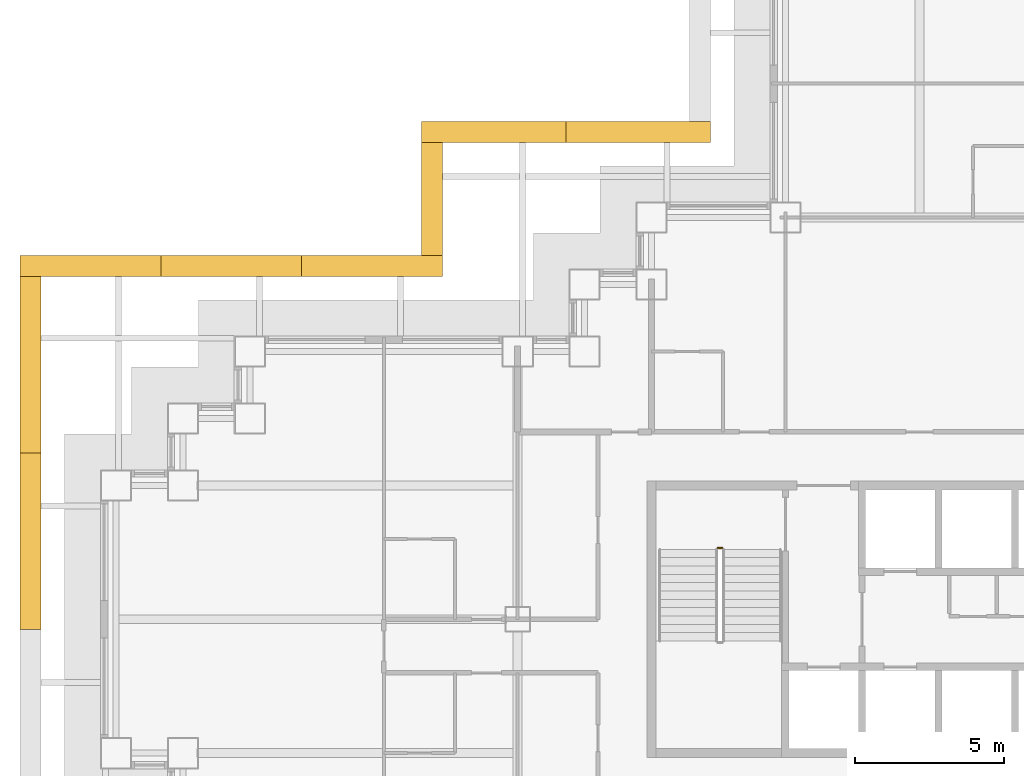
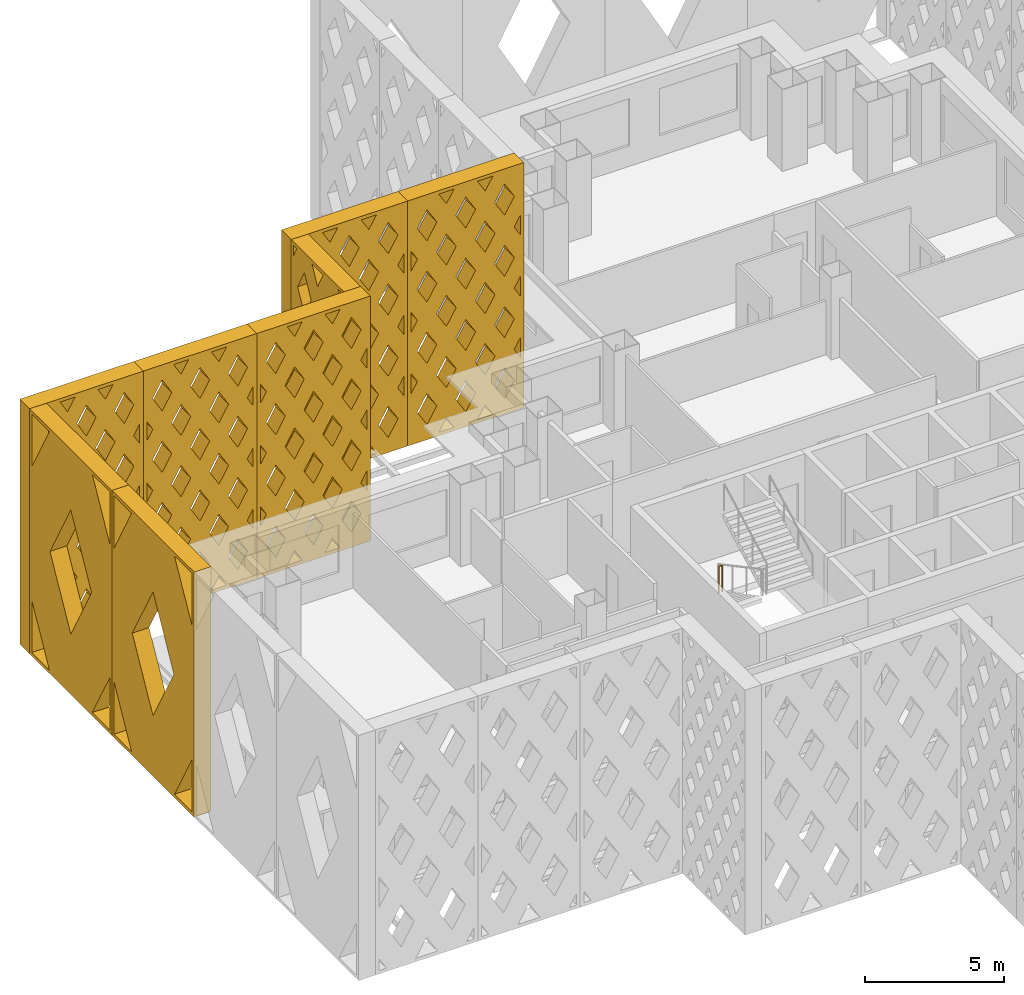
# One storey, part 17 of 19: 8 shading devices, 1 railing.
"""IFC4 building model written with IfcOpenShell, lengths in metres."""

from ifc_helpers import new_model, si_unit, direction, frame, origin, origin_2d, place, context, subcontext, project, spatial, polyline, circle, outline, extrude, material, type_object, element, save


model = new_model("IFC4")

# Units and contexts
model_context = context("Model", 3, precision=1e-05, world=origin(), true_north=direction((0.0, 1.0)))
body_context = subcontext(model_context, "Body", "Model", "MODEL_VIEW")
ifc_project = project(units=[si_unit("LENGTHUNIT", "METRE"), si_unit("AREAUNIT", "SQUARE_METRE"), si_unit("VOLUMEUNIT", "CUBIC_METRE"), si_unit("PLANEANGLEUNIT", "RADIAN"), si_unit("MASSUNIT", "GRAM", prefix="KILO")], contexts=[model_context])

# Site, building, storey
site_placement = place(None, origin())
site = spatial("IfcSite", under=ifc_project, at=site_placement, CompositionType="ELEMENT")
building_placement = place(site_placement, origin())
building = spatial("IfcBuilding", under=site, at=building_placement, Name="Caravel Reach Hotel and Residences", CompositionType="ELEMENT")
storey_placement = place(building_placement, frame((0.0, 0.0, 52.800048828125)))
storey = spatial("IfcBuildingStorey", under=building, at=storey_placement, Name="L11", CompositionType="ELEMENT", Elevation=52.800048828125)

# Shading devices
ifc_material_1 = material(Name="Black powder-coated aluminium", Category="aluminium")
shading_device_type_1 = type_object("IfcShadingDeviceType", Name="Diamond lattice screen panel 3800 x 10800", PredefinedType="USERDEFINED", material=ifc_material_1)
shading_device_1_placement = place(storey_placement, frame((10.97509765625, 43.02490234375, 0.0), z_axis=(-1.0, 0.0, 0.0), x_axis=(0.0, -1.0, 0.0)))
element("IfcShadingDevice", 1, at=shading_device_1_placement, inside=storey, type_object=shading_device_type_1, Name="Lattice screen L11-L13 15.1", ObjectType="SCREEN", PredefinedType="USERDEFINED", context=body_context, shape_type="SweptSolid", body=[
    extrude(outline(polyline([(0.0, 0.0), (3.800048828125, 0.0), (3.800048828125, 10.800048828125), (0.0, 10.800048828125), (0.0, 0.0)]), holes=[polyline([(0.41015625, 0.14990234375), (0.14990234375, 0.64306640625), (0.14990234375, 0.14990234375), (0.41015625, 0.14990234375)]), polyline([(0.489501953125, 3.60009765625), (0.14990234375, 4.2431640625), (0.14990234375, 2.956787109375), (0.489501953125, 3.60009765625)]), polyline([(0.489501953125, 7.199951171875), (0.14990234375, 7.843017578125), (0.14990234375, 6.556884765625), (0.489501953125, 7.199951171875)]), polyline([(0.14990234375, 10.156982421875), (0.41015625, 10.64990234375), (0.14990234375, 10.64990234375), (0.14990234375, 10.156982421875)]), polyline([(0.949951171875, 2.727294921875), (0.460693359375, 1.800048828125), (0.949951171875, 0.872802734375), (1.439453125, 1.800048828125), (0.949951171875, 2.727294921875)]), polyline([(0.949951171875, 6.327392578125), (0.460693359375, 5.39990234375), (0.949951171875, 4.47265625), (1.439453125, 5.39990234375), (0.949951171875, 6.327392578125)]), polyline([(0.949951171875, 9.92724609375), (0.460693359375, 9.0), (0.949951171875, 8.07275390625), (1.439453125, 9.0), (0.949951171875, 9.92724609375)]), polyline([(1.89990234375, 0.92724609375), (1.48974609375, 0.14990234375), (2.310302734375, 0.14990234375), (1.89990234375, 0.92724609375)]), polyline([(1.89990234375, 4.52734375), (1.41064453125, 3.60009765625), (1.89990234375, 2.672607421875), (2.389404296875, 3.60009765625), (1.89990234375, 4.52734375)]), polyline([(1.89990234375, 8.127197265625), (1.41064453125, 7.199951171875), (1.89990234375, 6.272705078125), (2.389404296875, 7.199951171875), (1.89990234375, 8.127197265625)]), polyline([(1.89990234375, 9.872802734375), (2.310302734375, 10.64990234375), (1.48974609375, 10.64990234375), (1.89990234375, 9.872802734375)]), polyline([(2.85009765625, 2.727294921875), (2.360595703125, 1.800048828125), (2.85009765625, 0.872802734375), (3.33935546875, 1.800048828125), (2.85009765625, 2.727294921875)]), polyline([(2.85009765625, 6.327392578125), (2.360595703125, 5.39990234375), (2.85009765625, 4.47265625), (3.33935546875, 5.39990234375), (2.85009765625, 6.327392578125)]), polyline([(2.85009765625, 9.92724609375), (2.360595703125, 9.0), (2.85009765625, 8.07275390625), (3.33935546875, 9.0), (2.85009765625, 9.92724609375)]), polyline([(3.64990234375, 0.64306640625), (3.3896484375, 0.14990234375), (3.64990234375, 0.14990234375), (3.64990234375, 0.64306640625)]), polyline([(3.310546875, 3.60009765625), (3.64990234375, 2.956787109375), (3.64990234375, 4.2431640625), (3.310546875, 3.60009765625)]), polyline([(3.310546875, 7.199951171875), (3.64990234375, 6.556884765625), (3.64990234375, 7.843017578125), (3.310546875, 7.199951171875)]), polyline([(3.3896484375, 10.64990234375), (3.64990234375, 10.156982421875), (3.64990234375, 10.64990234375), (3.3896484375, 10.64990234375)])]), origin(), (0.0, 0.0, 1.0), 0.7001953125),
])
ifc_material_2 = material(Name="Black powder-coated aluminium", Category="aluminium")
shading_device_type_2 = type_object("IfcShadingDeviceType", Name="Diamond lattice screen panel 4733 x 10800", PredefinedType="USERDEFINED", material=ifc_material_2)
shading_device_2_placement = place(storey_placement, frame((10.97509765625, 38.52490234375, 0.0), z_axis=(0.0, 1.0, 0.0), x_axis=(-1.0, 0.0, 0.0)))
element("IfcShadingDevice", 2, at=shading_device_2_placement, inside=storey, type_object=shading_device_type_2, Name="Lattice screen L11-L13 16.1", ObjectType="SCREEN", PredefinedType="USERDEFINED", context=body_context, shape_type="SweptSolid", body=[
    extrude(outline(polyline([(0.0, 0.0), (4.7333984375, 0.0), (4.7333984375, 10.800048828125), (0.0, 10.800048828125), (0.0, 0.0)]), holes=[polyline([(0.4013671875, 2.699951171875), (0.14990234375, 3.130126953125), (0.14990234375, 2.269775390625), (0.4013671875, 2.699951171875)]), polyline([(0.4013671875, 5.39990234375), (0.14990234375, 5.830078125), (0.14990234375, 4.969970703125), (0.4013671875, 5.39990234375)]), polyline([(0.4013671875, 8.10009765625), (0.14990234375, 8.530029296875), (0.14990234375, 7.669921875), (0.4013671875, 8.10009765625)]), polyline([(0.788818359375, 2.036865234375), (0.387451171875, 1.35009765625), (0.788818359375, 0.6630859375), (1.190185546875, 1.35009765625), (0.788818359375, 2.036865234375)]), polyline([(0.788818359375, 4.73681640625), (0.387451171875, 4.050048828125), (0.788818359375, 3.36328125), (1.190185546875, 4.050048828125), (0.788818359375, 4.73681640625)]), polyline([(0.788818359375, 7.436767578125), (0.387451171875, 6.75), (0.788818359375, 6.063232421875), (1.190185546875, 6.75), (0.788818359375, 7.436767578125)]), polyline([(0.788818359375, 10.13671875), (0.387451171875, 9.449951171875), (0.788818359375, 8.76318359375), (1.190185546875, 9.449951171875), (0.788818359375, 10.13671875)]), polyline([(1.577880859375, 0.686767578125), (1.26416015625, 0.14990234375), (1.8916015625, 0.14990234375), (1.577880859375, 0.686767578125)]), polyline([(1.577880859375, 3.38671875), (1.176513671875, 2.699951171875), (1.577880859375, 2.01318359375), (1.979248046875, 2.699951171875), (1.577880859375, 3.38671875)]), polyline([(1.577880859375, 6.0869140625), (1.176513671875, 5.39990234375), (1.577880859375, 4.713134765625), (1.979248046875, 5.39990234375), (1.577880859375, 6.0869140625)]), polyline([(1.577880859375, 8.786865234375), (1.176513671875, 8.10009765625), (1.577880859375, 7.4130859375), (1.979248046875, 8.10009765625), (1.577880859375, 8.786865234375)]), polyline([(1.577880859375, 10.11328125), (1.8916015625, 10.64990234375), (1.26416015625, 10.64990234375), (1.577880859375, 10.11328125)]), polyline([(2.36669921875, 2.036865234375), (1.96533203125, 1.35009765625), (2.36669921875, 0.6630859375), (2.76806640625, 1.35009765625), (2.36669921875, 2.036865234375)]), polyline([(2.36669921875, 4.73681640625), (1.96533203125, 4.050048828125), (2.36669921875, 3.36328125), (2.76806640625, 4.050048828125), (2.36669921875, 4.73681640625)]), polyline([(2.36669921875, 7.436767578125), (1.96533203125, 6.75), (2.36669921875, 6.063232421875), (2.76806640625, 6.75), (2.36669921875, 7.436767578125)]), polyline([(2.36669921875, 10.13671875), (1.96533203125, 9.449951171875), (2.36669921875, 8.76318359375), (2.76806640625, 9.449951171875), (2.36669921875, 10.13671875)]), polyline([(3.155517578125, 0.686767578125), (2.841796875, 0.14990234375), (3.46923828125, 0.14990234375), (3.155517578125, 0.686767578125)]), polyline([(3.155517578125, 3.38671875), (2.754150390625, 2.699951171875), (3.155517578125, 2.01318359375), (3.556884765625, 2.699951171875), (3.155517578125, 3.38671875)]), polyline([(3.155517578125, 6.0869140625), (2.754150390625, 5.39990234375), (3.155517578125, 4.713134765625), (3.556884765625, 5.39990234375), (3.155517578125, 6.0869140625)]), polyline([(3.155517578125, 8.786865234375), (2.754150390625, 8.10009765625), (3.155517578125, 7.4130859375), (3.556884765625, 8.10009765625), (3.155517578125, 8.786865234375)]), polyline([(3.155517578125, 10.11328125), (3.46923828125, 10.64990234375), (2.841796875, 10.64990234375), (3.155517578125, 10.11328125)]), polyline([(3.9443359375, 2.036865234375), (3.54296875, 1.35009765625), (3.9443359375, 0.6630859375), (4.345703125, 1.35009765625), (3.9443359375, 2.036865234375)]), polyline([(3.9443359375, 4.73681640625), (3.54296875, 4.050048828125), (3.9443359375, 3.36328125), (4.345703125, 4.050048828125), (3.9443359375, 4.73681640625)]), polyline([(3.9443359375, 7.436767578125), (3.54296875, 6.75), (3.9443359375, 6.063232421875), (4.345703125, 6.75), (3.9443359375, 7.436767578125)]), polyline([(3.9443359375, 10.13671875), (3.54296875, 9.449951171875), (3.9443359375, 8.76318359375), (4.345703125, 9.449951171875), (3.9443359375, 10.13671875)]), polyline([(4.33203125, 2.699951171875), (4.583251953125, 2.269775390625), (4.583251953125, 3.130126953125), (4.33203125, 2.699951171875)]), polyline([(4.33203125, 5.39990234375), (4.583251953125, 4.969970703125), (4.583251953125, 5.830078125), (4.33203125, 5.39990234375)]), polyline([(4.33203125, 8.10009765625), (4.583251953125, 7.669921875), (4.583251953125, 8.530029296875), (4.33203125, 8.10009765625)])]), origin(), (0.0, 0.0, 1.0), 0.7001953125),
])
shading_device_3_placement = place(storey_placement, frame((6.24169921875, 38.52490234375, 0.0), z_axis=(0.0, 1.0, 0.0), x_axis=(-1.0, 0.0, 0.0)))
element("IfcShadingDevice", 3, at=shading_device_3_placement, inside=storey, type_object=shading_device_type_2, Name="Lattice screen L11-L13 16.2", ObjectType="SCREEN", PredefinedType="USERDEFINED", context=body_context, shape_type="SweptSolid", body=[
    extrude(outline(polyline([(0.0, 0.0), (4.7333984375, 0.0), (4.7333984375, 10.800048828125), (0.0, 10.800048828125), (0.0, 0.0)]), holes=[polyline([(0.4013671875, 2.699951171875), (0.14990234375, 3.130126953125), (0.14990234375, 2.269775390625), (0.4013671875, 2.699951171875)]), polyline([(0.4013671875, 5.39990234375), (0.14990234375, 5.830078125), (0.14990234375, 4.969970703125), (0.4013671875, 5.39990234375)]), polyline([(0.4013671875, 8.10009765625), (0.14990234375, 8.530029296875), (0.14990234375, 7.669921875), (0.4013671875, 8.10009765625)]), polyline([(0.788818359375, 2.036865234375), (0.387451171875, 1.35009765625), (0.788818359375, 0.6630859375), (1.190185546875, 1.35009765625), (0.788818359375, 2.036865234375)]), polyline([(0.788818359375, 4.73681640625), (0.387451171875, 4.050048828125), (0.788818359375, 3.36328125), (1.190185546875, 4.050048828125), (0.788818359375, 4.73681640625)]), polyline([(0.788818359375, 7.436767578125), (0.387451171875, 6.75), (0.788818359375, 6.063232421875), (1.190185546875, 6.75), (0.788818359375, 7.436767578125)]), polyline([(0.788818359375, 10.13671875), (0.387451171875, 9.449951171875), (0.788818359375, 8.76318359375), (1.190185546875, 9.449951171875), (0.788818359375, 10.13671875)]), polyline([(1.577880859375, 0.686767578125), (1.26416015625, 0.14990234375), (1.8916015625, 0.14990234375), (1.577880859375, 0.686767578125)]), polyline([(1.577880859375, 3.38671875), (1.176513671875, 2.699951171875), (1.577880859375, 2.01318359375), (1.979248046875, 2.699951171875), (1.577880859375, 3.38671875)]), polyline([(1.577880859375, 6.0869140625), (1.176513671875, 5.39990234375), (1.577880859375, 4.713134765625), (1.979248046875, 5.39990234375), (1.577880859375, 6.0869140625)]), polyline([(1.577880859375, 8.786865234375), (1.176513671875, 8.10009765625), (1.577880859375, 7.4130859375), (1.979248046875, 8.10009765625), (1.577880859375, 8.786865234375)]), polyline([(1.577880859375, 10.11328125), (1.8916015625, 10.64990234375), (1.26416015625, 10.64990234375), (1.577880859375, 10.11328125)]), polyline([(2.36669921875, 2.036865234375), (1.96533203125, 1.35009765625), (2.36669921875, 0.6630859375), (2.76806640625, 1.35009765625), (2.36669921875, 2.036865234375)]), polyline([(2.36669921875, 4.73681640625), (1.96533203125, 4.050048828125), (2.36669921875, 3.36328125), (2.76806640625, 4.050048828125), (2.36669921875, 4.73681640625)]), polyline([(2.36669921875, 7.436767578125), (1.96533203125, 6.75), (2.36669921875, 6.063232421875), (2.76806640625, 6.75), (2.36669921875, 7.436767578125)]), polyline([(2.36669921875, 10.13671875), (1.96533203125, 9.449951171875), (2.36669921875, 8.76318359375), (2.76806640625, 9.449951171875), (2.36669921875, 10.13671875)]), polyline([(3.155517578125, 0.686767578125), (2.841796875, 0.14990234375), (3.46923828125, 0.14990234375), (3.155517578125, 0.686767578125)]), polyline([(3.155517578125, 3.38671875), (2.754150390625, 2.699951171875), (3.155517578125, 2.01318359375), (3.556884765625, 2.699951171875), (3.155517578125, 3.38671875)]), polyline([(3.155517578125, 6.0869140625), (2.754150390625, 5.39990234375), (3.155517578125, 4.713134765625), (3.556884765625, 5.39990234375), (3.155517578125, 6.0869140625)]), polyline([(3.155517578125, 8.786865234375), (2.754150390625, 8.10009765625), (3.155517578125, 7.4130859375), (3.556884765625, 8.10009765625), (3.155517578125, 8.786865234375)]), polyline([(3.155517578125, 10.11328125), (3.46923828125, 10.64990234375), (2.841796875, 10.64990234375), (3.155517578125, 10.11328125)]), polyline([(3.9443359375, 2.036865234375), (3.54296875, 1.35009765625), (3.9443359375, 0.6630859375), (4.345703125, 1.35009765625), (3.9443359375, 2.036865234375)]), polyline([(3.9443359375, 4.73681640625), (3.54296875, 4.050048828125), (3.9443359375, 3.36328125), (4.345703125, 4.050048828125), (3.9443359375, 4.73681640625)]), polyline([(3.9443359375, 7.436767578125), (3.54296875, 6.75), (3.9443359375, 6.063232421875), (4.345703125, 6.75), (3.9443359375, 7.436767578125)]), polyline([(3.9443359375, 10.13671875), (3.54296875, 9.449951171875), (3.9443359375, 8.76318359375), (4.345703125, 9.449951171875), (3.9443359375, 10.13671875)]), polyline([(4.33203125, 2.699951171875), (4.583251953125, 2.269775390625), (4.583251953125, 3.130126953125), (4.33203125, 2.699951171875)]), polyline([(4.33203125, 5.39990234375), (4.583251953125, 4.969970703125), (4.583251953125, 5.830078125), (4.33203125, 5.39990234375)]), polyline([(4.33203125, 8.10009765625), (4.583251953125, 7.669921875), (4.583251953125, 8.530029296875), (4.33203125, 8.10009765625)])]), origin(), (0.0, 0.0, 1.0), 0.7001953125),
])
shading_device_4_placement = place(storey_placement, frame((1.50830078125, 38.52490234375, 0.0), z_axis=(0.0, 1.0, 0.0), x_axis=(-1.0, 0.0, 0.0)))
element("IfcShadingDevice", 4, at=shading_device_4_placement, inside=storey, type_object=shading_device_type_2, Name="Lattice screen L11-L13 16.3", ObjectType="SCREEN", PredefinedType="USERDEFINED", context=body_context, shape_type="SweptSolid", body=[
    extrude(outline(polyline([(0.0, 0.0), (4.7333984375, 0.0), (4.7333984375, 10.800048828125), (0.0, 10.800048828125), (0.0, 0.0)]), holes=[polyline([(0.4013671875, 2.699951171875), (0.14990234375, 3.130126953125), (0.14990234375, 2.269775390625), (0.4013671875, 2.699951171875)]), polyline([(0.4013671875, 5.39990234375), (0.14990234375, 5.830078125), (0.14990234375, 4.969970703125), (0.4013671875, 5.39990234375)]), polyline([(0.4013671875, 8.10009765625), (0.14990234375, 8.530029296875), (0.14990234375, 7.669921875), (0.4013671875, 8.10009765625)]), polyline([(0.788818359375, 2.036865234375), (0.387451171875, 1.35009765625), (0.788818359375, 0.6630859375), (1.190185546875, 1.35009765625), (0.788818359375, 2.036865234375)]), polyline([(0.788818359375, 4.73681640625), (0.387451171875, 4.050048828125), (0.788818359375, 3.36328125), (1.190185546875, 4.050048828125), (0.788818359375, 4.73681640625)]), polyline([(0.788818359375, 7.436767578125), (0.387451171875, 6.75), (0.788818359375, 6.063232421875), (1.190185546875, 6.75), (0.788818359375, 7.436767578125)]), polyline([(0.788818359375, 10.13671875), (0.387451171875, 9.449951171875), (0.788818359375, 8.76318359375), (1.190185546875, 9.449951171875), (0.788818359375, 10.13671875)]), polyline([(1.577880859375, 0.686767578125), (1.26416015625, 0.14990234375), (1.8916015625, 0.14990234375), (1.577880859375, 0.686767578125)]), polyline([(1.577880859375, 3.38671875), (1.176513671875, 2.699951171875), (1.577880859375, 2.01318359375), (1.979248046875, 2.699951171875), (1.577880859375, 3.38671875)]), polyline([(1.577880859375, 6.0869140625), (1.176513671875, 5.39990234375), (1.577880859375, 4.713134765625), (1.979248046875, 5.39990234375), (1.577880859375, 6.0869140625)]), polyline([(1.577880859375, 8.786865234375), (1.176513671875, 8.10009765625), (1.577880859375, 7.4130859375), (1.979248046875, 8.10009765625), (1.577880859375, 8.786865234375)]), polyline([(1.577880859375, 10.11328125), (1.8916015625, 10.64990234375), (1.26416015625, 10.64990234375), (1.577880859375, 10.11328125)]), polyline([(2.36669921875, 2.036865234375), (1.96533203125, 1.35009765625), (2.36669921875, 0.6630859375), (2.76806640625, 1.35009765625), (2.36669921875, 2.036865234375)]), polyline([(2.36669921875, 4.73681640625), (1.96533203125, 4.050048828125), (2.36669921875, 3.36328125), (2.76806640625, 4.050048828125), (2.36669921875, 4.73681640625)]), polyline([(2.36669921875, 7.436767578125), (1.96533203125, 6.75), (2.36669921875, 6.063232421875), (2.76806640625, 6.75), (2.36669921875, 7.436767578125)]), polyline([(2.36669921875, 10.13671875), (1.96533203125, 9.449951171875), (2.36669921875, 8.76318359375), (2.76806640625, 9.449951171875), (2.36669921875, 10.13671875)]), polyline([(3.155517578125, 0.686767578125), (2.841796875, 0.14990234375), (3.46923828125, 0.14990234375), (3.155517578125, 0.686767578125)]), polyline([(3.155517578125, 3.38671875), (2.754150390625, 2.699951171875), (3.155517578125, 2.01318359375), (3.556884765625, 2.699951171875), (3.155517578125, 3.38671875)]), polyline([(3.155517578125, 6.0869140625), (2.754150390625, 5.39990234375), (3.155517578125, 4.713134765625), (3.556884765625, 5.39990234375), (3.155517578125, 6.0869140625)]), polyline([(3.155517578125, 8.786865234375), (2.754150390625, 8.10009765625), (3.155517578125, 7.4130859375), (3.556884765625, 8.10009765625), (3.155517578125, 8.786865234375)]), polyline([(3.155517578125, 10.11328125), (3.46923828125, 10.64990234375), (2.841796875, 10.64990234375), (3.155517578125, 10.11328125)]), polyline([(3.9443359375, 2.036865234375), (3.54296875, 1.35009765625), (3.9443359375, 0.6630859375), (4.345703125, 1.35009765625), (3.9443359375, 2.036865234375)]), polyline([(3.9443359375, 4.73681640625), (3.54296875, 4.050048828125), (3.9443359375, 3.36328125), (4.345703125, 4.050048828125), (3.9443359375, 4.73681640625)]), polyline([(3.9443359375, 7.436767578125), (3.54296875, 6.75), (3.9443359375, 6.063232421875), (4.345703125, 6.75), (3.9443359375, 7.436767578125)]), polyline([(3.9443359375, 10.13671875), (3.54296875, 9.449951171875), (3.9443359375, 8.76318359375), (4.345703125, 9.449951171875), (3.9443359375, 10.13671875)]), polyline([(4.33203125, 2.699951171875), (4.583251953125, 2.269775390625), (4.583251953125, 3.130126953125), (4.33203125, 2.699951171875)]), polyline([(4.33203125, 5.39990234375), (4.583251953125, 4.969970703125), (4.583251953125, 5.830078125), (4.33203125, 5.39990234375)]), polyline([(4.33203125, 8.10009765625), (4.583251953125, 7.669921875), (4.583251953125, 8.530029296875), (4.33203125, 8.10009765625)])]), origin(), (0.0, 0.0, 1.0), 0.7001953125),
])
ifc_material_3 = material(Name="Black powder-coated aluminium", Category="aluminium")
shading_device_type_3 = type_object("IfcShadingDeviceType", Name="Diamond lattice screen panel 4850 x 10800", PredefinedType="USERDEFINED", material=ifc_material_3)
shading_device_5_placement = place(storey_placement, frame((19.97509765625, 43.02490234375, 0.0), z_axis=(0.0, 1.0, 0.0), x_axis=(-1.0, 0.0, 0.0)))
element("IfcShadingDevice", 5, at=shading_device_5_placement, inside=storey, type_object=shading_device_type_3, Name="Lattice screen L11-L13 14.1", ObjectType="SCREEN", PredefinedType="USERDEFINED", context=body_context, shape_type="SweptSolid", body=[
    extrude(outline(polyline([(0.0, 0.0), (4.85009765625, 0.0), (4.85009765625, 10.800048828125), (0.0, 10.800048828125), (0.0, 0.0)]), holes=[polyline([(0.410888671875, 2.699951171875), (0.14990234375, 3.1357421875), (0.14990234375, 2.26416015625), (0.410888671875, 2.699951171875)]), polyline([(0.410888671875, 5.39990234375), (0.14990234375, 5.835693359375), (0.14990234375, 4.964111328125), (0.410888671875, 5.39990234375)]), polyline([(0.410888671875, 8.10009765625), (0.14990234375, 8.535888671875), (0.14990234375, 7.664306640625), (0.410888671875, 8.10009765625)]), polyline([(0.808349609375, 2.036376953125), (0.3974609375, 1.35009765625), (0.808349609375, 0.663818359375), (1.21923828125, 1.35009765625), (0.808349609375, 2.036376953125)]), polyline([(0.808349609375, 4.736328125), (0.3974609375, 4.050048828125), (0.808349609375, 3.36376953125), (1.21923828125, 4.050048828125), (0.808349609375, 4.736328125)]), polyline([(0.808349609375, 7.436279296875), (0.3974609375, 6.75), (0.808349609375, 6.063720703125), (1.21923828125, 6.75), (0.808349609375, 7.436279296875)]), polyline([(0.808349609375, 10.13623046875), (0.3974609375, 9.449951171875), (0.808349609375, 8.763671875), (1.21923828125, 9.449951171875), (0.808349609375, 10.13623046875)]), polyline([(1.61669921875, 0.686279296875), (1.295654296875, 0.14990234375), (1.937744140625, 0.14990234375), (1.61669921875, 0.686279296875)]), polyline([(1.61669921875, 3.38623046875), (1.205810546875, 2.699951171875), (1.61669921875, 2.013671875), (2.027587890625, 2.699951171875), (1.61669921875, 3.38623046875)]), polyline([(1.61669921875, 6.086181640625), (1.205810546875, 5.39990234375), (1.61669921875, 4.713623046875), (2.027587890625, 5.39990234375), (1.61669921875, 6.086181640625)]), polyline([(1.61669921875, 8.786376953125), (1.205810546875, 8.10009765625), (1.61669921875, 7.413818359375), (2.027587890625, 8.10009765625), (1.61669921875, 8.786376953125)]), polyline([(1.61669921875, 10.11376953125), (1.937744140625, 10.64990234375), (1.295654296875, 10.64990234375), (1.61669921875, 10.11376953125)]), polyline([(2.425048828125, 2.036376953125), (2.01416015625, 1.35009765625), (2.425048828125, 0.663818359375), (2.8359375, 1.35009765625), (2.425048828125, 2.036376953125)]), polyline([(2.425048828125, 4.736328125), (2.01416015625, 4.050048828125), (2.425048828125, 3.36376953125), (2.8359375, 4.050048828125), (2.425048828125, 4.736328125)]), polyline([(2.425048828125, 7.436279296875), (2.01416015625, 6.75), (2.425048828125, 6.063720703125), (2.8359375, 6.75), (2.425048828125, 7.436279296875)]), polyline([(2.425048828125, 10.13623046875), (2.01416015625, 9.449951171875), (2.425048828125, 8.763671875), (2.8359375, 9.449951171875), (2.425048828125, 10.13623046875)]), polyline([(3.2333984375, 0.686279296875), (2.912109375, 0.14990234375), (3.554443359375, 0.14990234375), (3.2333984375, 0.686279296875)]), polyline([(3.2333984375, 3.38623046875), (2.822509765625, 2.699951171875), (3.2333984375, 2.013671875), (3.644287109375, 2.699951171875), (3.2333984375, 3.38623046875)]), polyline([(3.2333984375, 6.086181640625), (2.822509765625, 5.39990234375), (3.2333984375, 4.713623046875), (3.644287109375, 5.39990234375), (3.2333984375, 6.086181640625)]), polyline([(3.2333984375, 8.786376953125), (2.822509765625, 8.10009765625), (3.2333984375, 7.413818359375), (3.644287109375, 8.10009765625), (3.2333984375, 8.786376953125)]), polyline([(3.2333984375, 10.11376953125), (3.554443359375, 10.64990234375), (2.912109375, 10.64990234375), (3.2333984375, 10.11376953125)]), polyline([(4.041748046875, 2.036376953125), (3.630859375, 1.35009765625), (4.041748046875, 0.663818359375), (4.45263671875, 1.35009765625), (4.041748046875, 2.036376953125)]), polyline([(4.041748046875, 4.736328125), (3.630859375, 4.050048828125), (4.041748046875, 3.36376953125), (4.45263671875, 4.050048828125), (4.041748046875, 4.736328125)]), polyline([(4.041748046875, 7.436279296875), (3.630859375, 6.75), (4.041748046875, 6.063720703125), (4.45263671875, 6.75), (4.041748046875, 7.436279296875)]), polyline([(4.041748046875, 10.13623046875), (3.630859375, 9.449951171875), (4.041748046875, 8.763671875), (4.45263671875, 9.449951171875), (4.041748046875, 10.13623046875)]), polyline([(4.43896484375, 2.699951171875), (4.699951171875, 2.26416015625), (4.699951171875, 3.1357421875), (4.43896484375, 2.699951171875)]), polyline([(4.43896484375, 5.39990234375), (4.699951171875, 4.964111328125), (4.699951171875, 5.835693359375), (4.43896484375, 5.39990234375)]), polyline([(4.43896484375, 8.10009765625), (4.699951171875, 7.664306640625), (4.699951171875, 8.535888671875), (4.43896484375, 8.10009765625)])]), origin(), (0.0, 0.0, 1.0), 0.7001953125),
])
shading_device_6_placement = place(storey_placement, frame((15.125, 43.02490234375, 0.0), z_axis=(0.0, 1.0, 0.0), x_axis=(-1.0, 0.0, 0.0)))
element("IfcShadingDevice", 6, at=shading_device_6_placement, inside=storey, type_object=shading_device_type_3, Name="Lattice screen L11-L13 14.2", ObjectType="SCREEN", PredefinedType="USERDEFINED", context=body_context, shape_type="SweptSolid", body=[
    extrude(outline(polyline([(0.0, 0.0), (4.85009765625, 0.0), (4.85009765625, 10.800048828125), (0.0, 10.800048828125), (0.0, 0.0)]), holes=[polyline([(0.410888671875, 2.699951171875), (0.14990234375, 3.1357421875), (0.14990234375, 2.26416015625), (0.410888671875, 2.699951171875)]), polyline([(0.410888671875, 5.39990234375), (0.14990234375, 5.835693359375), (0.14990234375, 4.964111328125), (0.410888671875, 5.39990234375)]), polyline([(0.410888671875, 8.10009765625), (0.14990234375, 8.535888671875), (0.14990234375, 7.664306640625), (0.410888671875, 8.10009765625)]), polyline([(0.808349609375, 2.036376953125), (0.3974609375, 1.35009765625), (0.808349609375, 0.663818359375), (1.21923828125, 1.35009765625), (0.808349609375, 2.036376953125)]), polyline([(0.808349609375, 4.736328125), (0.3974609375, 4.050048828125), (0.808349609375, 3.36376953125), (1.21923828125, 4.050048828125), (0.808349609375, 4.736328125)]), polyline([(0.808349609375, 7.436279296875), (0.3974609375, 6.75), (0.808349609375, 6.063720703125), (1.21923828125, 6.75), (0.808349609375, 7.436279296875)]), polyline([(0.808349609375, 10.13623046875), (0.3974609375, 9.449951171875), (0.808349609375, 8.763671875), (1.21923828125, 9.449951171875), (0.808349609375, 10.13623046875)]), polyline([(1.61669921875, 0.686279296875), (1.295654296875, 0.14990234375), (1.937744140625, 0.14990234375), (1.61669921875, 0.686279296875)]), polyline([(1.61669921875, 3.38623046875), (1.205810546875, 2.699951171875), (1.61669921875, 2.013671875), (2.027587890625, 2.699951171875), (1.61669921875, 3.38623046875)]), polyline([(1.61669921875, 6.086181640625), (1.205810546875, 5.39990234375), (1.61669921875, 4.713623046875), (2.027587890625, 5.39990234375), (1.61669921875, 6.086181640625)]), polyline([(1.61669921875, 8.786376953125), (1.205810546875, 8.10009765625), (1.61669921875, 7.413818359375), (2.027587890625, 8.10009765625), (1.61669921875, 8.786376953125)]), polyline([(1.61669921875, 10.11376953125), (1.937744140625, 10.64990234375), (1.295654296875, 10.64990234375), (1.61669921875, 10.11376953125)]), polyline([(2.425048828125, 2.036376953125), (2.01416015625, 1.35009765625), (2.425048828125, 0.663818359375), (2.8359375, 1.35009765625), (2.425048828125, 2.036376953125)]), polyline([(2.425048828125, 4.736328125), (2.01416015625, 4.050048828125), (2.425048828125, 3.36376953125), (2.8359375, 4.050048828125), (2.425048828125, 4.736328125)]), polyline([(2.425048828125, 7.436279296875), (2.01416015625, 6.75), (2.425048828125, 6.063720703125), (2.8359375, 6.75), (2.425048828125, 7.436279296875)]), polyline([(2.425048828125, 10.13623046875), (2.01416015625, 9.449951171875), (2.425048828125, 8.763671875), (2.8359375, 9.449951171875), (2.425048828125, 10.13623046875)]), polyline([(3.2333984375, 0.686279296875), (2.912109375, 0.14990234375), (3.554443359375, 0.14990234375), (3.2333984375, 0.686279296875)]), polyline([(3.2333984375, 3.38623046875), (2.822509765625, 2.699951171875), (3.2333984375, 2.013671875), (3.644287109375, 2.699951171875), (3.2333984375, 3.38623046875)]), polyline([(3.2333984375, 6.086181640625), (2.822509765625, 5.39990234375), (3.2333984375, 4.713623046875), (3.644287109375, 5.39990234375), (3.2333984375, 6.086181640625)]), polyline([(3.2333984375, 8.786376953125), (2.822509765625, 8.10009765625), (3.2333984375, 7.413818359375), (3.644287109375, 8.10009765625), (3.2333984375, 8.786376953125)]), polyline([(3.2333984375, 10.11376953125), (3.554443359375, 10.64990234375), (2.912109375, 10.64990234375), (3.2333984375, 10.11376953125)]), polyline([(4.041748046875, 2.036376953125), (3.630859375, 1.35009765625), (4.041748046875, 0.663818359375), (4.45263671875, 1.35009765625), (4.041748046875, 2.036376953125)]), polyline([(4.041748046875, 4.736328125), (3.630859375, 4.050048828125), (4.041748046875, 3.36376953125), (4.45263671875, 4.050048828125), (4.041748046875, 4.736328125)]), polyline([(4.041748046875, 7.436279296875), (3.630859375, 6.75), (4.041748046875, 6.063720703125), (4.45263671875, 6.75), (4.041748046875, 7.436279296875)]), polyline([(4.041748046875, 10.13623046875), (3.630859375, 9.449951171875), (4.041748046875, 8.763671875), (4.45263671875, 9.449951171875), (4.041748046875, 10.13623046875)]), polyline([(4.43896484375, 2.699951171875), (4.699951171875, 2.26416015625), (4.699951171875, 3.1357421875), (4.43896484375, 2.699951171875)]), polyline([(4.43896484375, 5.39990234375), (4.699951171875, 4.964111328125), (4.699951171875, 5.835693359375), (4.43896484375, 5.39990234375)]), polyline([(4.43896484375, 8.10009765625), (4.699951171875, 7.664306640625), (4.699951171875, 8.535888671875), (4.43896484375, 8.10009765625)])]), origin(), (0.0, 0.0, 1.0), 0.7001953125),
])
ifc_material_4 = material(Name="Black powder-coated aluminium", Category="aluminium")
shading_device_type_4 = type_object("IfcShadingDeviceType", Name="Diamond lattice screen panel 5937 x 10800", PredefinedType="USERDEFINED", material=ifc_material_4)
for number, where, z_axis, x_axis, name in (
    (7, (-2.52490234375, 38.52490234375, 0.0), (-1.0, 0.0, 0.0), (0.0, -1.0, 0.0), "Lattice screen L11-L13 17.1"),
    (8, (-2.52490234375, 32.58740234375, 0.0), (-1.0, 0.0, 0.0), (0.0, -1.0, 0.0), "Lattice screen L11-L13 17.2"),
):
    element("IfcShadingDevice", number, at=place(storey_placement, frame(where, z_axis=z_axis, x_axis=x_axis)), inside=storey, type_object=shading_device_type_4, Name=name, ObjectType="SCREEN", PredefinedType="USERDEFINED", context=body_context, shape_type="SweptSolid", body=[
        extrude(outline(polyline([(0.0, 0.0), (5.9375, 0.0), (5.9375, 10.800048828125), (0.0, 10.800048828125), (0.0, 0.0)]), holes=[polyline([(1.42138671875, 0.14990234375), (0.14990234375, 2.462646484375), (0.14990234375, 0.14990234375), (1.42138671875, 0.14990234375)]), polyline([(0.14990234375, 8.33740234375), (1.42138671875, 10.64990234375), (0.14990234375, 10.64990234375), (0.14990234375, 8.33740234375)]), polyline([(2.96875, 8.135498046875), (1.46484375, 5.39990234375), (2.96875, 2.66455078125), (4.47265625, 5.39990234375), (2.96875, 8.135498046875)]), polyline([(5.78759765625, 2.462646484375), (4.51611328125, 0.14990234375), (5.78759765625, 0.14990234375), (5.78759765625, 2.462646484375)]), polyline([(4.51611328125, 10.64990234375), (5.78759765625, 8.33740234375), (5.78759765625, 10.64990234375), (4.51611328125, 10.64990234375)])]), origin(), (0.0, 0.0, 1.0), 0.7001953125),
    ])

# Railing
ifc_material_5 = material(Name="Steel balustrade with glass infill", Category="steel")
railing_type = type_object("IfcRailingType", Name="Guard 1200", PredefinedType="GUARDRAIL", material=ifc_material_5)
railing_placement = place(storey_placement, frame((20.22509765625, 29.39990234375, 0.0)))
element("IfcRailing", 9, at=railing_placement, inside=storey, type_object=railing_type, Name="L11 ST-A stair guard 4", PredefinedType="GUARDRAIL", context=body_context, shape_type="SweptSolid", body=[
    extrude(circle(Radius=0.02392578125, at=origin_2d()), frame((0.0, 0.0, 1.17578125), z_axis=(1.0, 0.0, 0.0), x_axis=(0.0, 1.0, 0.0)), (0.0, 0.0, 1.0), 0.14990234375),
    extrude(circle(Radius=0.02099609375, at=origin_2d()), origin(), (0.0, 0.0, 1.0), 1.15185546875),
    extrude(circle(Radius=0.02099609375, at=origin_2d()), frame((0.14990234375, 0.0, 0.0)), (0.0, 0.0, 1.0), 1.15185546875),
])

save(model, "model.ifc")
